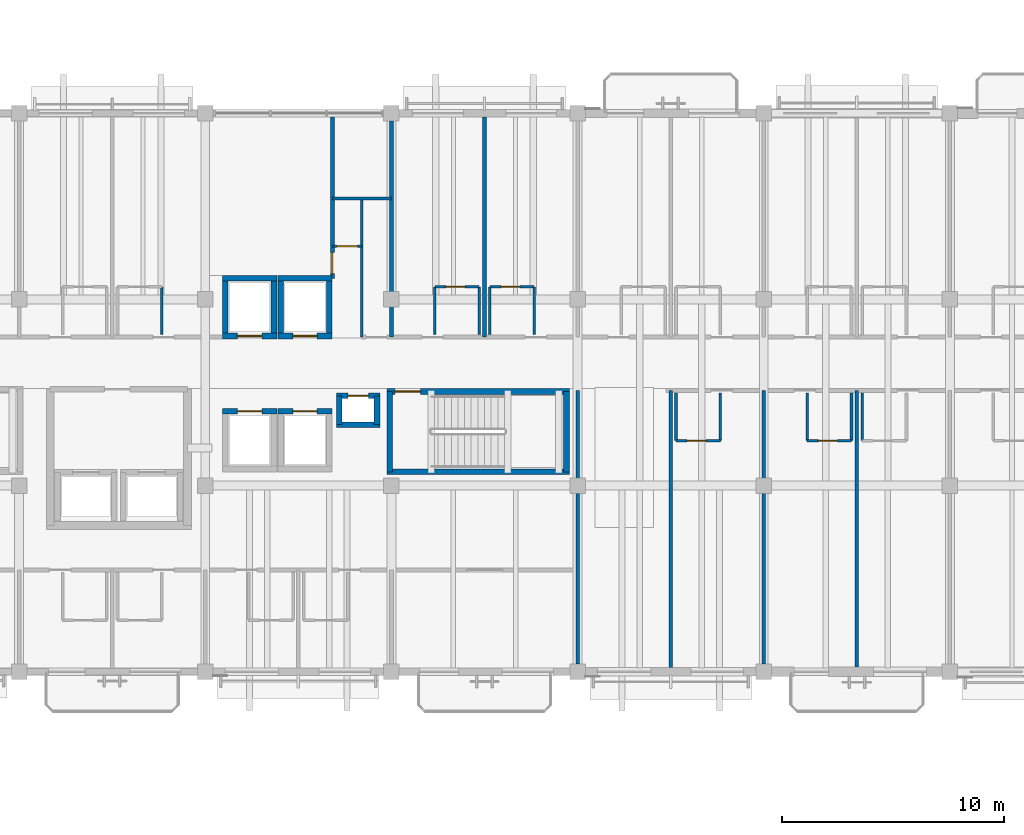
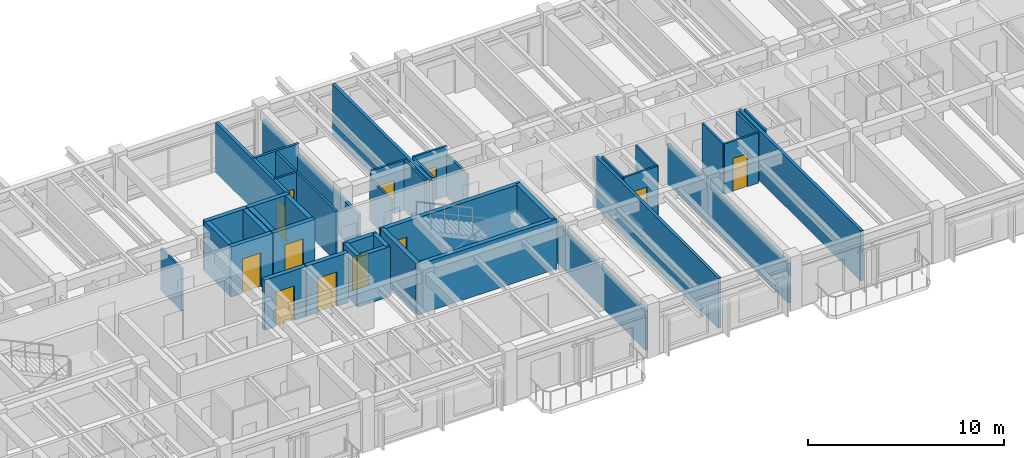
# One storey, part 38 of 64: 42 walls, 12 doors, 12 openings.
"""IFC4 building model written with IfcOpenShell, lengths in metres."""

import ifcopenshell
import ifcopenshell.guid

model = None  # the IFC model being written
_history = None  # IfcOwnerHistory: only IFC2X3 demands one
_inside = {}  # id of a spatial element -> (the spatial element, [elements in it])
_under = {}  # id of a project, library or spatial element -> (it, [spatial elements below it])
_declared = {}  # id of a project -> (the project, [libraries it declares])
_typed = {}  # id of a type object -> (the type object, [elements of that type])
_made_of = {}  # id of a material, layer set ... -> (it, [elements and type objects made of it])


def new_model(schema):
    """Start an empty IFC model of exactly this schema.

    Asked for "IFC4X3", IfcOpenShell would pick the latest addendum, in which some entities
    have other attributes; the version numbers below select the first issue.
    IFC2X3 requires an IfcOwnerHistory on every rooted entity: one is made here for all.
    """
    global model, _history
    if schema == "IFC4X3":
        model = ifcopenshell.file(schema_version=(4, 3, 0, 0))
    else:
        model = ifcopenshell.file(schema=schema)
    _inside.clear()
    _under.clear()
    _declared.clear()
    _typed.clear()
    _made_of.clear()
    _history = None
    if model.schema == "IFC2X3":
        org = make("IfcOrganization", Name="unknown")
        user = make(
            "IfcPersonAndOrganization",
            ThePerson=make("IfcPerson", FamilyName="unknown"),
            TheOrganization=org,
        )
        app = make(
            "IfcApplication",
            ApplicationDeveloper=org,
            Version="unknown",
            ApplicationFullName="unknown",
            ApplicationIdentifier="unknown",
        )
        _history = make(
            "IfcOwnerHistory",
            OwningUser=user,
            OwningApplication=app,
            ChangeAction="ADDED",
            CreationDate=0,
        )
    return model


def make(cls, **values):
    """One entity of the class cls with the attributes given. An attribute that is None is left unset."""
    return model.create_entity(
        cls, **{name: value for name, value in values.items() if value is not None}
    )


def rooted(cls, **values):
    """An entity with a GlobalId (a new one), such as an element, a storey or a relation."""
    return make(cls, GlobalId=ifcopenshell.guid.new(), OwnerHistory=_history, **values)


def si_unit(unit_type, name, prefix=None):
    """IfcSIUnit, for example si_unit("LENGTHUNIT", "METRE", prefix="MILLI")."""
    return make("IfcSIUnit", UnitType=unit_type, Prefix=prefix, Name=name)


def assignment(units):
    """IfcUnitAssignment: the units of a project."""
    return None if units is None else make("IfcUnitAssignment", Units=units)


def point(xyz):
    """IfcCartesianPoint."""
    return None if xyz is None else make("IfcCartesianPoint", Coordinates=xyz)


def direction(xyz):
    """IfcDirection."""
    return None if xyz is None else make("IfcDirection", DirectionRatios=xyz)


def frame(location, z_axis=None, x_axis=None):
    """IfcAxis2Placement3D, a coordinate frame: its origin and axes. An axis left out is left unset."""
    return make(
        "IfcAxis2Placement3D",
        Location=point(location),
        Axis=direction(z_axis),
        RefDirection=direction(x_axis),
    )


def frame_2d(location, x_axis=None):
    """IfcAxis2Placement2D, a coordinate frame in the plane: its origin and x axis."""
    return make(
        "IfcAxis2Placement2D", Location=point(location), RefDirection=direction(x_axis)
    )


def origin():
    """The frame at (0, 0, 0) with its axes left unset."""
    return frame((0.0, 0.0, 0.0))


def place(relative_to, where):
    """IfcLocalPlacement: puts the frame where relative to a parent placement (None: the world)."""
    return make(
        "IfcLocalPlacement", PlacementRelTo=relative_to, RelativePlacement=where
    )


def context(
    kind, dimensions, precision=None, world=None, true_north=None, identifier=None
):
    """IfcGeometricRepresentationContext, for example the 3D "Model" context."""
    return make(
        "IfcGeometricRepresentationContext",
        ContextIdentifier=identifier,
        ContextType=kind,
        CoordinateSpaceDimension=dimensions,
        Precision=precision,
        WorldCoordinateSystem=world,
        TrueNorth=true_north,
    )


def subcontext(parent, identifier, kind, view, scale=None):
    """IfcGeometricRepresentationSubContext, for example "Body" below "Model"."""
    return make(
        "IfcGeometricRepresentationSubContext",
        ContextIdentifier=identifier,
        ContextType=kind,
        ParentContext=parent,
        TargetScale=scale,
        TargetView=view,
    )


def project(units=None, contexts=None):
    """IfcProject with its units and contexts."""
    return rooted(
        "IfcProject",
        Name="project",
        RepresentationContexts=contexts,
        UnitsInContext=assignment(units),
    )


def spatial(cls, under=None, at=None, **own):
    """A site, building, storey or space (cls), placed at a placement, below another one or the project."""
    s = rooted(cls, ObjectPlacement=at, **own)
    if under is not None:
        _under.setdefault(under.id(), (under, []))[1].append(s)
    return s


def profile(cls, at=None, kind="AREA", **sizes):
    """A parametric profile (cls). Its sizes go by their IFC names, for example OverallWidth=200.0."""
    return make(cls, ProfileType=kind, Position=at, **sizes)


def rectangle(**sizes):
    """IfcRectangleProfileDef."""
    return profile("IfcRectangleProfileDef", **sizes)


def extrude(swept, where, along, depth):
    """IfcExtrudedAreaSolid: the profile swept, set in the frame where, extruded along a direction by depth."""
    return make(
        "IfcExtrudedAreaSolid",
        SweptArea=swept,
        Position=where,
        ExtrudedDirection=direction(along),
        Depth=depth,
    )


def shape(context_of_items, identifier, shape_type, items):
    """IfcShapeRepresentation: the items that make up one representation, for example the "Body"."""
    return make(
        "IfcShapeRepresentation",
        ContextOfItems=context_of_items,
        RepresentationIdentifier=identifier,
        RepresentationType=shape_type,
        Items=items,
    )


def material(Name=None, Category=None):
    """IfcMaterial."""
    return make("IfcMaterial", Name=Name, Category=Category)


def layer(
    of_material, thickness, ventilated=None, Name=None, Category=None, Priority=None
):
    """IfcMaterialLayer: one layer of a wall or slab, of a material (None: an air gap)."""
    return make(
        "IfcMaterialLayer",
        Material=of_material,
        LayerThickness=thickness,
        IsVentilated=ventilated,
        Name=Name,
        Category=Category,
        Priority=Priority,
    )


def layer_set(layers, Name=None):
    """IfcMaterialLayerSet."""
    return make("IfcMaterialLayerSet", MaterialLayers=layers, LayerSetName=Name)


def made_of(thing, what):
    """Note that an element or type object is made of a material, layer set ...; save() writes the relation."""
    if what is not None:
        _made_of.setdefault(what.id(), (what, []))[1].append(thing)
    return thing


def type_object(cls, material=None, **own):
    """A type object (cls), such as IfcWallType, which elements share."""
    return made_of(rooted(cls, **own), material)


def element(
    cls,
    number,
    at=None,
    inside=None,
    cuts=None,
    type_object=None,
    material=None,
    context=None,
    identifier="Body",
    shape_type=None,
    held_by="IfcProductDefinitionShape",
    body=None,
    shapes=None,
    **own,
):
    """One element of the class cls, such as IfcWall. Its Tag is "e" and its number.

    at: its placement. inside: the storey or other place that contains it. cuts: it is an
    opening in that element (IfcRelVoidsElement). A single representation is given by context,
    identifier, shape_type and body (its items); several are given by shapes. held_by: the class
    of the entity that holds the representations. save() writes the other relations.
    """
    e = rooted(cls, Tag="e%d" % number, ObjectPlacement=at, **own)
    if body is not None:
        shapes = [shape(context, identifier, shape_type, body)]
    if shapes is not None:
        e.Representation = make(held_by, Representations=shapes)
    if inside is not None:
        _inside.setdefault(inside.id(), (inside, []))[1].append(e)
    if cuts is not None:
        rooted(
            "IfcRelVoidsElement", RelatingBuildingElement=cuts, RelatedOpeningElement=e
        )
    if type_object is not None:
        _typed.setdefault(type_object.id(), (type_object, []))[1].append(e)
    return made_of(e, material)


def fill(opening, filler):
    """IfcRelFillsElement: the door or window that sits in an opening."""
    return rooted(
        "IfcRelFillsElement",
        RelatingOpeningElement=opening,
        RelatedBuildingElement=filler,
    )


def aggregate(whole, parts):
    """IfcRelAggregates: a whole, such as a stair, and the parts it consists of."""
    return rooted("IfcRelAggregates", RelatingObject=whole, RelatedObjects=parts)


def save(model, path):
    """Write the relations noted so far, then the file.

    IfcRelAggregates (storeys below a building ...), IfcRelContainedInSpatialStructure (elements
    in a storey), IfcRelDefinesByType, IfcRelAssociatesMaterial and IfcRelDeclares: one each for
    every whole, place, type object, material and project.
    """
    for whole, parts in _under.values():
        aggregate(whole, parts)
    for where, things in _inside.values():
        rooted(
            "IfcRelContainedInSpatialStructure",
            RelatedElements=things,
            RelatingStructure=where,
        )
    for kind, things in _typed.values():
        rooted("IfcRelDefinesByType", RelatedObjects=things, RelatingType=kind)
    for what, things in _made_of.values():
        rooted("IfcRelAssociatesMaterial", RelatedObjects=things, RelatingMaterial=what)
    for by, libraries in _declared.values():
        rooted("IfcRelDeclares", RelatingContext=by, RelatedDefinitions=libraries)
    model.write(path)


model = new_model("IFC4")

# Units and contexts
model_context = context("Model", 3, precision=1e-05, world=origin(), true_north=direction((0.0, 1.0)))
body_context = subcontext(model_context, "Body", "Model", "MODEL_VIEW")
ifc_project = project(units=[si_unit("LENGTHUNIT", "METRE"), si_unit("AREAUNIT", "SQUARE_METRE"), si_unit("VOLUMEUNIT", "CUBIC_METRE"), si_unit("PLANEANGLEUNIT", "RADIAN"), si_unit("MASSUNIT", "GRAM", prefix="KILO")], contexts=[model_context])

# Site, building, storey
site_placement = place(None, origin())
site = spatial("IfcSite", under=ifc_project, at=site_placement, CompositionType="ELEMENT")
building_placement = place(site_placement, origin())
building = spatial("IfcBuilding", under=site, at=building_placement, Name="Cumbredor Promenade Congress Hotel", CompositionType="ELEMENT")
storey_placement = place(building_placement, frame((0.0, 0.0, 18.47998046875)))
storey = spatial("IfcBuildingStorey", under=building, at=storey_placement, Name="L05", CompositionType="ELEMENT", Elevation=18.47998046875)

# Wall
ifc_material_1 = material(Name="Moisture-resistant gypsum board on steel studs", Category="steel")
ifc_layer_1 = layer(ifc_material_1, 0.114990234375, Name="Moisture-resistant gypsum board on steel studs", Category="steel")
ifc_layer_set_1 = layer_set([ifc_layer_1], Name="Moisture-resistant gypsum board on steel studs")
wall_type_1 = type_object("IfcWallType", Name="WL-BATH-115", PredefinedType="PARTITIONING", material=ifc_layer_set_1)
wall_1_placement = place(storey_placement, frame((31.639892578125, 107.6201171875, 0.0), z_axis=(0.0, 0.0, 1.0), x_axis=(0.0, 1.0, 0.0)))
element("IfcWall", 1, at=wall_1_placement, inside=storey, type_object=wall_type_1, Name="L05 Interior Partition W-L05-BV2-0506", PredefinedType="PARTITIONING", context=body_context, shape_type="SweptSolid", body=[
    extrude(rectangle(XDim=2.14990234375, YDim=0.114990234375, at=frame_2d((1.074951171875, 0.0))), origin(), (0.0, 0.0, 1.0), 2.64208984375),
])

# Wall, opening, door
wall_2_placement = place(storey_placement, frame((43.9599609375, 109.77001953125, 0.0), z_axis=(0.0, 0.0, 1.0), x_axis=(1.0, 0.0, 0.0)))
wall_2 = element("IfcWall", 2, at=wall_2_placement, inside=storey, type_object=wall_type_1, Name="L05 Interior Partition W-L05-BH-0507", PredefinedType="PARTITIONING", context=body_context, shape_type="SweptSolid", body=[
    extrude(rectangle(XDim=2.0, YDim=0.114990234375, at=frame_2d((1.0, 0.0))), origin(), (0.0, 0.0, 1.0), 3.1201171875),
])
opening_1_placement = place(wall_2_placement, frame((0.5, 0.0, 0.0)))
opening_1 = element("IfcOpeningElement", 3, at=opening_1_placement, cuts=wall_2, Name="Opening ID-01", PredefinedType="OPENING", context=body_context, shape_type="SweptSolid", body=[
    extrude(rectangle(XDim=0.860107421875, YDim=2.050048828125, at=frame_2d((0.43017578125, 1.02490234375))), frame((0.0, 0.0673828125, 0.0), z_axis=(0.0, -1.0, 0.0), x_axis=(1.0, 0.0, 0.0)), (0.0, 0.0, 1.0), 0.135009765625),
])
ifc_material_2 = material(Name="Kiln-dried tropical hardwood", Category="wood")
door_type_1 = type_object("IfcDoorType", Name="DR-BATH-860", OperationType="NOTDEFINED", PredefinedType="DOOR", material=ifc_material_2)
door_1_placement = place(opening_1_placement, origin())
door_1 = element("IfcDoor", 4, at=door_1_placement, inside=storey, type_object=door_type_1, Name="L05 Interior Door W-L05-BH-0507-01", OperationType="SINGLE_SWING_RIGHT", OverallHeight=2.050048828125, OverallWidth=0.860107421875, PredefinedType="DOOR", context=body_context, shape_type="SweptSolid", body=[
    extrude(rectangle(XDim=0.860107421875, YDim=2.050048828125, at=frame_2d((0.43017578125, 1.02490234375))), frame((0.0, 0.02490234375, 0.0), z_axis=(0.0, -1.0, 0.0), x_axis=(1.0, 0.0, 0.0)), (0.0, 0.0, 1.0), 0.050048828125),
])
fill(opening_1, door_1)

# Walls
wall_3_placement = place(storey_placement, frame((43.9599609375, 107.6201171875, 0.0), z_axis=(0.0, 0.0, 1.0), x_axis=(0.0, 1.0, 0.0)))
element("IfcWall", 5, at=wall_3_placement, inside=storey, type_object=wall_type_1, Name="L05 Interior Partition W-L05-BV1-0507", PredefinedType="PARTITIONING", context=body_context, shape_type="SweptSolid", body=[
    extrude(rectangle(XDim=2.14990234375, YDim=0.114990234375, at=frame_2d((1.074951171875, 0.0))), origin(), (0.0, 0.0, 1.0), 2.64208984375),
])
wall_4_placement = place(storey_placement, frame((45.9599609375, 107.6201171875, 0.0), z_axis=(0.0, 0.0, 1.0), x_axis=(0.0, 1.0, 0.0)))
element("IfcWall", 6, at=wall_4_placement, inside=storey, type_object=wall_type_1, Name="L05 Interior Partition W-L05-BV2-0507", PredefinedType="PARTITIONING", context=body_context, shape_type="SweptSolid", body=[
    extrude(rectangle(XDim=2.14990234375, YDim=0.114990234375, at=frame_2d((1.074951171875, 0.0))), origin(), (0.0, 0.0, 1.0), 3.1201171875),
])

# Wall, opening, door
wall_5_placement = place(storey_placement, frame((46.43994140625, 109.77001953125, 0.0), z_axis=(0.0, 0.0, 1.0), x_axis=(1.0, 0.0, 0.0)))
wall_5 = element("IfcWall", 7, at=wall_5_placement, inside=storey, type_object=wall_type_1, Name="L05 Interior Partition W-L05-BH-0508", PredefinedType="PARTITIONING", context=body_context, shape_type="SweptSolid", body=[
    extrude(rectangle(XDim=2.0, YDim=0.114990234375, at=frame_2d((1.0, 0.0))), origin(), (0.0, 0.0, 1.0), 3.1201171875),
])
opening_2_placement = place(wall_5_placement, frame((0.5, 0.0, 0.0)))
opening_2 = element("IfcOpeningElement", 8, at=opening_2_placement, cuts=wall_5, Name="Opening ID-01", PredefinedType="OPENING", context=body_context, shape_type="SweptSolid", body=[
    extrude(rectangle(XDim=0.860107421875, YDim=2.050048828125, at=frame_2d((0.43017578125, 1.02490234375))), frame((0.0, 0.0673828125, 0.0), z_axis=(0.0, -1.0, 0.0), x_axis=(1.0, 0.0, 0.0)), (0.0, 0.0, 1.0), 0.135009765625),
])
door_2_placement = place(opening_2_placement, origin())
door_2 = element("IfcDoor", 9, at=door_2_placement, inside=storey, type_object=door_type_1, Name="L05 Interior Door W-L05-BH-0508-01", OperationType="SINGLE_SWING_LEFT", OverallHeight=2.050048828125, OverallWidth=0.860107421875, PredefinedType="DOOR", context=body_context, shape_type="SweptSolid", body=[
    extrude(rectangle(XDim=0.860107421875, YDim=2.050048828125, at=frame_2d((0.43017578125, 1.02490234375))), frame((0.0, 0.02490234375, 0.0), z_axis=(0.0, -1.0, 0.0), x_axis=(1.0, 0.0, 0.0)), (0.0, 0.0, 1.0), 0.050048828125),
])
fill(opening_2, door_2)

# Walls
wall_6_placement = place(storey_placement, frame((46.43994140625, 107.6201171875, 0.0), z_axis=(0.0, 0.0, 1.0), x_axis=(0.0, 1.0, 0.0)))
element("IfcWall", 10, at=wall_6_placement, inside=storey, type_object=wall_type_1, Name="L05 Interior Partition W-L05-BV1-0508", PredefinedType="PARTITIONING", context=body_context, shape_type="SweptSolid", body=[
    extrude(rectangle(XDim=2.14990234375, YDim=0.114990234375, at=frame_2d((1.074951171875, 0.0))), origin(), (0.0, 0.0, 1.0), 3.1201171875),
])
wall_7_placement = place(storey_placement, frame((48.43994140625, 107.6201171875, 0.0), z_axis=(0.0, 0.0, 1.0), x_axis=(0.0, 1.0, 0.0)))
element("IfcWall", 11, at=wall_7_placement, inside=storey, type_object=wall_type_1, Name="L05 Interior Partition W-L05-BV2-0508", PredefinedType="PARTITIONING", context=body_context, shape_type="SweptSolid", body=[
    extrude(rectangle(XDim=2.14990234375, YDim=0.114990234375, at=frame_2d((1.074951171875, 0.0))), origin(), (0.0, 0.0, 1.0), 2.64208984375),
])

# Wall, opening, door
wall_8_placement = place(storey_placement, frame((54.840087890625, 102.830078125, 0.0), z_axis=(0.0, 0.0, 1.0), x_axis=(1.0, 0.0, 0.0)))
wall_8 = element("IfcWall", 12, at=wall_8_placement, inside=storey, type_object=wall_type_1, Name="L05 Interior Partition W-L05-BH-0516", PredefinedType="PARTITIONING", context=body_context, shape_type="SweptSolid", body=[
    extrude(rectangle(XDim=2.0, YDim=0.114990234375, at=frame_2d((1.0, 0.0))), origin(), (0.0, 0.0, 1.0), 3.1201171875),
])
opening_3_placement = place(wall_8_placement, frame((0.5, 0.0, 0.0)))
opening_3 = element("IfcOpeningElement", 13, at=opening_3_placement, cuts=wall_8, Name="Opening ID-01", PredefinedType="OPENING", context=body_context, shape_type="SweptSolid", body=[
    extrude(rectangle(XDim=0.860107421875, YDim=2.050048828125, at=frame_2d((0.43017578125, 1.02490234375))), frame((0.0, 0.0673828125, 0.0), z_axis=(0.0, -1.0, 0.0), x_axis=(1.0, 0.0, 0.0)), (0.0, 0.0, 1.0), 0.135009765625),
])
door_3_placement = place(opening_3_placement, origin())
door_3 = element("IfcDoor", 14, at=door_3_placement, inside=storey, type_object=door_type_1, Name="L05 Interior Door W-L05-BH-0516-01", OperationType="SINGLE_SWING_LEFT", OverallHeight=2.050048828125, OverallWidth=0.860107421875, PredefinedType="DOOR", context=body_context, shape_type="SweptSolid", body=[
    extrude(rectangle(XDim=0.860107421875, YDim=2.050048828125, at=frame_2d((0.43017578125, 1.02490234375))), frame((0.0, 0.02490234375, 0.0), z_axis=(0.0, -1.0, 0.0), x_axis=(1.0, 0.0, 0.0)), (0.0, 0.0, 1.0), 0.050048828125),
])
fill(opening_3, door_3)

# Walls
for number, where, z_axis, x_axis, name in (
    (15, (54.840087890625, 102.830078125, 0.0), (0.0, 0.0, 1.0), (0.0, 1.0, 0.0), "L05 Interior Partition W-L05-BV1-0516"),
    (16, (56.840087890625, 102.830078125, 0.0), (0.0, 0.0, 1.0), (0.0, 1.0, 0.0), "L05 Interior Partition W-L05-BV2-0516"),
):
    element("IfcWall", number, at=place(storey_placement, frame(where, z_axis=z_axis, x_axis=x_axis)), inside=storey, type_object=wall_type_1, Name=name, PredefinedType="PARTITIONING", context=body_context, shape_type="SweptSolid", body=[
        extrude(rectangle(XDim=2.14990234375, YDim=0.114990234375, at=frame_2d((1.074951171875, 0.0))), origin(), (0.0, 0.0, 1.0), 3.1201171875),
    ])

# Wall, opening, door
wall_9_placement = place(storey_placement, frame((60.760009765625, 102.830078125, 0.0), z_axis=(0.0, 0.0, 1.0), x_axis=(1.0, 0.0, 0.0)))
wall_9 = element("IfcWall", 17, at=wall_9_placement, inside=storey, type_object=wall_type_1, Name="L05 Interior Partition W-L05-BH-0517", PredefinedType="PARTITIONING", context=body_context, shape_type="SweptSolid", body=[
    extrude(rectangle(XDim=2.0, YDim=0.114990234375, at=frame_2d((1.0, 0.0))), origin(), (0.0, 0.0, 1.0), 3.1201171875),
])
opening_4_placement = place(wall_9_placement, frame((0.5, 0.0, 0.0)))
opening_4 = element("IfcOpeningElement", 18, at=opening_4_placement, cuts=wall_9, Name="Opening ID-01", PredefinedType="OPENING", context=body_context, shape_type="SweptSolid", body=[
    extrude(rectangle(XDim=0.860107421875, YDim=2.050048828125, at=frame_2d((0.43017578125, 1.02490234375))), frame((0.0, 0.0673828125, 0.0), z_axis=(0.0, -1.0, 0.0), x_axis=(1.0, 0.0, 0.0)), (0.0, 0.0, 1.0), 0.135009765625),
])
door_4_placement = place(opening_4_placement, origin())
door_4 = element("IfcDoor", 19, at=door_4_placement, inside=storey, type_object=door_type_1, Name="L05 Interior Door W-L05-BH-0517-01", OperationType="SINGLE_SWING_RIGHT", OverallHeight=2.050048828125, OverallWidth=0.860107421875, PredefinedType="DOOR", context=body_context, shape_type="SweptSolid", body=[
    extrude(rectangle(XDim=0.860107421875, YDim=2.050048828125, at=frame_2d((0.43017578125, 1.02490234375))), frame((0.0, 0.02490234375, 0.0), z_axis=(0.0, -1.0, 0.0), x_axis=(1.0, 0.0, 0.0)), (0.0, 0.0, 1.0), 0.050048828125),
])
fill(opening_4, door_4)

# Walls
for number, where, z_axis, x_axis, name in (
    (20, (60.760009765625, 102.830078125, 0.0), (0.0, 0.0, 1.0), (0.0, 1.0, 0.0), "L05 Interior Partition W-L05-BV1-0517"),
    (21, (62.760009765625, 102.830078125, 0.0), (0.0, 0.0, 1.0), (0.0, 1.0, 0.0), "L05 Interior Partition W-L05-BV2-0517"),
    (22, (63.239990234375, 102.830078125, 0.0), (0.0, 0.0, 1.0), (0.0, 1.0, 0.0), "L05 Interior Partition W-L05-BV1-0518"),
):
    element("IfcWall", number, at=place(storey_placement, frame(where, z_axis=z_axis, x_axis=x_axis)), inside=storey, type_object=wall_type_1, Name=name, PredefinedType="PARTITIONING", context=body_context, shape_type="SweptSolid", body=[
        extrude(rectangle(XDim=2.14990234375, YDim=0.114990234375, at=frame_2d((1.074951171875, 0.0))), origin(), (0.0, 0.0, 1.0), 3.1201171875),
    ])

# Wall, opening, door
ifc_material_3 = material(Name="Fire-rated hotel corridor wall")
ifc_layer_2 = layer(ifc_material_3, 0.179931640625, Name="Fire-rated hotel corridor wall")
ifc_layer_set_2 = layer_set([ifc_layer_2], Name="Fire-rated hotel corridor wall")
wall_type_2 = type_object("IfcWallType", Name="WL-CORR-180", PredefinedType="PARTITIONING", material=ifc_layer_set_2)
wall_10_placement = place(storey_placement, frame((39.330078125, 110.14990234375, 0.0), z_axis=(0.0, 0.0, 1.0), x_axis=(0.0, 1.0, 0.0)))
wall_10 = element("IfcWall", 23, at=wall_10_placement, inside=storey, type_object=wall_type_2, Name="L05 Interior Partition W-L05-SALON-E", PredefinedType="PARTITIONING", context=body_context, shape_type="SweptSolid", body=[
    extrude(rectangle(XDim=7.28759765625, YDim=0.179931640625, at=frame_2d((3.643798828125, 0.0))), origin(), (0.0, 0.0, 1.0), 3.1201171875),
])
opening_5_placement = place(wall_10_placement, frame((0.219970703125, 0.0, 0.0)))
opening_5 = element("IfcOpeningElement", 24, at=opening_5_placement, cuts=wall_10, Name="Opening FD-03", PredefinedType="OPENING", context=body_context, shape_type="SweptSolid", body=[
    extrude(rectangle(XDim=0.93994140625, YDim=2.10009765625, at=frame_2d((0.469970703125, 1.050048828125))), frame((0.0, 0.10009765625, 0.0), z_axis=(0.0, -1.0, 0.0), x_axis=(1.0, 0.0, 0.0)), (0.0, 0.0, 1.0), 0.199951171875),
])
ifc_material_4 = material(Name="Painted galvanized steel fire door", Category="steel")
door_type_2 = type_object("IfcDoorType", Name="DR-SGL-FD60-950", OperationType="NOTDEFINED", PredefinedType="DOOR", material=ifc_material_4)
door_5_placement = place(opening_5_placement, origin())
door_5 = element("IfcDoor", 25, at=door_5_placement, inside=storey, type_object=door_type_2, Name="L05 Interior Door W-L05-SALON-E-01", OperationType="SINGLE_SWING_LEFT", OverallHeight=2.10009765625, OverallWidth=0.93994140625, PredefinedType="DOOR", context=body_context, shape_type="SweptSolid", body=[
    extrude(rectangle(XDim=0.93994140625, YDim=2.10009765625, at=frame_2d((0.469970703125, 1.050048828125))), frame((0.0, 0.02490234375, 0.0), z_axis=(0.0, -1.0, 0.0), x_axis=(1.0, 0.0, 0.0)), (0.0, 0.0, 1.0), 0.050048828125),
])
fill(opening_5, door_5)

ifc_material_5 = material(Name="Gypsum board on steel studs", Category="steel")
ifc_layer_3 = layer(ifc_material_5, 0.125, Name="Gypsum board on steel studs", Category="steel")
ifc_layer_set_3 = layer_set([ifc_layer_3], Name="Gypsum board on steel studs")
wall_type_3 = type_object("IfcWallType", Name="WL-PART-125", PredefinedType="PARTITIONING", material=ifc_layer_set_3)
wall_11_placement = place(storey_placement, frame((39.330078125, 111.60009765625, 0.0), z_axis=(0.0, 0.0, 1.0), x_axis=(1.0, 0.0, 0.0)))
wall_11 = element("IfcWall", 26, at=wall_11_placement, inside=storey, type_object=wall_type_3, Name="L05 Interior Partition W-L05-HK-S", PredefinedType="PARTITIONING", context=body_context, shape_type="SweptSolid", body=[
    extrude(rectangle(XDim=1.329833984375, YDim=0.125, at=frame_2d((0.6650390625, 0.0))), origin(), (0.0, 0.0, 1.0), 3.1201171875),
])
opening_6_placement = place(wall_11_placement, frame((0.195068359375, 0.0, 0.0)))
opening_6 = element("IfcOpeningElement", 27, at=opening_6_placement, cuts=wall_11, Name="Opening FD-03", PredefinedType="OPENING", context=body_context, shape_type="SweptSolid", body=[
    extrude(rectangle(XDim=0.93994140625, YDim=2.10009765625, at=frame_2d((0.469970703125, 1.050048828125))), frame((0.0, 0.072509765625, 0.0), z_axis=(0.0, -1.0, 0.0), x_axis=(1.0, 0.0, 0.0)), (0.0, 0.0, 1.0), 0.14501953125),
])
door_6_placement = place(opening_6_placement, origin())
door_6 = element("IfcDoor", 28, at=door_6_placement, inside=storey, type_object=door_type_2, Name="L05 Interior Door W-L05-HK-S-01", OperationType="SINGLE_SWING_LEFT", OverallHeight=2.10009765625, OverallWidth=0.93994140625, PredefinedType="DOOR", context=body_context, shape_type="SweptSolid", body=[
    extrude(rectangle(XDim=0.93994140625, YDim=2.10009765625, at=frame_2d((0.469970703125, 1.050048828125))), frame((0.0, 0.02490234375, 0.0), z_axis=(0.0, -1.0, 0.0), x_axis=(1.0, 0.0, 0.0)), (0.0, 0.0, 1.0), 0.050048828125),
])
fill(opening_6, door_6)

# Walls
wall_12_placement = place(storey_placement, frame((40.659912109375, 107.5, 0.0), z_axis=(0.0, 0.0, 1.0), x_axis=(0.0, 1.0, 0.0)))
element("IfcWall", 29, at=wall_12_placement, inside=storey, type_object=wall_type_3, Name="L05 Interior Partition W-L05-HK-DIV", PredefinedType="PARTITIONING", context=body_context, shape_type="SweptSolid", body=[
    extrude(rectangle(XDim=6.25, YDim=0.125, at=frame_2d((3.125, 0.0))), origin(), (0.0, 0.0, 1.0), 3.1201171875),
])
ifc_material_6 = material(Name="Acoustic gypsum partition on steel studs", Category="steel")
ifc_layer_4 = layer(ifc_material_6, 0.139892578125, Name="Acoustic gypsum partition on steel studs", Category="steel")
ifc_layer_set_4 = layer_set([ifc_layer_4], Name="Acoustic gypsum partition on steel studs")
wall_type_4 = type_object("IfcWallType", Name="WL-PART-140", PredefinedType="PARTITIONING", material=ifc_layer_set_4)
wall_13_placement = place(storey_placement, frame((39.330078125, 113.75, 0.0), z_axis=(0.0, 0.0, 1.0), x_axis=(1.0, 0.0, 0.0)))
element("IfcWall", 30, at=wall_13_placement, inside=storey, type_object=wall_type_4, Name="L05 Interior Partition W-L05-HK-N", PredefinedType="PARTITIONING", context=body_context, shape_type="SweptSolid", body=[
    extrude(rectangle(XDim=2.669921875, YDim=0.139892578125, at=frame_2d((1.3349609375, 0.0))), origin(), (0.0, 0.0, 1.0), 3.1201171875),
])
ifc_material_7 = material(Name="Concrete C40/50", Category="concrete")
ifc_layer_5 = layer(ifc_material_7, 0.2548828125, Name="Concrete C40/50", Category="concrete")
ifc_layer_set_5 = layer_set([ifc_layer_5], Name="Concrete C40/50")
wall_type_5 = type_object("IfcWallType", Name="WL-SHAFT-250", PredefinedType="SOLIDWALL", material=ifc_layer_set_5)
wall_14_placement = place(storey_placement, frame((41.802490234375, 101.419921875, 0.0), z_axis=(0.0, 0.0, 1.0), x_axis=(1.0, 0.0, 0.0)))
element("IfcWall", 31, at=wall_14_placement, inside=storey, type_object=wall_type_5, Name="STAIR-ST-03-L05 Shaft Wall South", PredefinedType="SOLIDWALL", context=body_context, shape_type="SweptSolid", body=[
    extrude(rectangle(XDim=8.22509765625, YDim=0.2548828125, at=frame_2d((4.112548828125, 0.0))), origin(), (0.0, 0.0, 1.0), 3.1201171875),
])

# Wall, opening, door
wall_15_placement = place(storey_placement, frame((41.802490234375, 105.050048828125, 0.0), z_axis=(0.0, 0.0, 1.0), x_axis=(1.0, 0.0, 0.0)))
wall_15 = element("IfcWall", 32, at=wall_15_placement, inside=storey, type_object=wall_type_5, Name="STAIR-ST-03-L05 Shaft Wall North", PredefinedType="SOLIDWALL", context=body_context, shape_type="SweptSolid", body=[
    extrude(rectangle(XDim=8.22509765625, YDim=0.2548828125, at=frame_2d((4.112548828125, 0.0))), origin(), (0.0, 0.0, 1.0), 3.1201171875),
])
opening_7_placement = place(wall_15_placement, frame((0.35009765625, 0.0, 0.0)))
opening_7 = element("IfcOpeningElement", 33, at=opening_7_placement, cuts=wall_15, Name="Opening SD-01", PredefinedType="OPENING", context=body_context, shape_type="SweptSolid", body=[
    extrude(rectangle(XDim=1.159912109375, YDim=2.14990234375, at=frame_2d((0.580078125, 1.074951171875))), frame((0.0, 0.137451171875, 0.0), z_axis=(0.0, -1.0, 0.0), x_axis=(1.0, 0.0, 0.0)), (0.0, 0.0, 1.0), 0.27490234375),
])
door_type_3 = type_object("IfcDoorType", Name="DR-STAIR-FD90-1150", OperationType="NOTDEFINED", PredefinedType="DOOR", material=ifc_material_4)
door_7_placement = place(opening_7_placement, origin())
door_7 = element("IfcDoor", 34, at=door_7_placement, inside=storey, type_object=door_type_3, Name="L05 Protected Exit Stair ST-03 Door", OperationType="SINGLE_SWING_LEFT", OverallHeight=2.14990234375, OverallWidth=1.159912109375, PredefinedType="DOOR", context=body_context, shape_type="SweptSolid", body=[
    extrude(rectangle(XDim=1.159912109375, YDim=2.14990234375, at=frame_2d((0.580078125, 1.074951171875))), frame((0.0, 0.02490234375, 0.0), z_axis=(0.0, -1.0, 0.0), x_axis=(1.0, 0.0, 0.0)), (0.0, 0.0, 1.0), 0.050048828125),
])
fill(opening_7, door_7)

# Walls
for number, where, z_axis, x_axis, name in (
    (35, (41.929931640625, 101.419921875, 0.0), (0.0, 0.0, 1.0), (0.0, 1.0, 0.0), "STAIR-ST-03-L05 Shaft Wall West"),
    (36, (49.89990234375, 101.419921875, 0.0), (0.0, 0.0, 1.0), (0.0, 1.0, 0.0), "STAIR-ST-03-L05 Shaft Wall East"),
):
    element("IfcWall", number, at=place(storey_placement, frame(where, z_axis=z_axis, x_axis=x_axis)), inside=storey, type_object=wall_type_5, Name=name, PredefinedType="SOLIDWALL", context=body_context, shape_type="SweptSolid", body=[
        extrude(rectangle(XDim=3.630126953125, YDim=0.2548828125, at=frame_2d((1.81494140625, 0.0))), origin(), (0.0, 0.0, 1.0), 3.1201171875),
    ])

# Wall, opening, door
wall_16_placement = place(storey_placement, frame((34.37255859375, 107.550048828125, 0.0), z_axis=(0.0, 0.0, 1.0), x_axis=(1.0, 0.0, 0.0)))
wall_16 = element("IfcWall", 37, at=wall_16_placement, inside=storey, type_object=wall_type_5, Name="SHAFT-PL-01-L05 Shaft Wall South", PredefinedType="SOLIDWALL", context=body_context, shape_type="SweptSolid", body=[
    extrude(rectangle(XDim=2.454833984375, YDim=0.2548828125, at=frame_2d((1.2275390625, 0.0))), origin(), (0.0, 0.0, 1.0), 3.1201171875),
])
opening_8_placement = place(wall_16_placement, frame((0.677490234375, 0.0, 0.0)))
opening_8 = element("IfcOpeningElement", 38, at=opening_8_placement, cuts=wall_16, Name="Opening LD-01", PredefinedType="OPENING", context=body_context, shape_type="SweptSolid", body=[
    extrude(rectangle(XDim=1.10009765625, YDim=2.14990234375, at=frame_2d((0.550048828125, 1.074951171875))), frame((0.0, 0.137451171875, 0.0), z_axis=(0.0, -1.0, 0.0), x_axis=(1.0, 0.0, 0.0)), (0.0, 0.0, 1.0), 0.27490234375),
])
ifc_material_8 = material(Name="Brushed stainless steel", Category="steel")
door_type_4 = type_object("IfcDoorType", Name="Lift Landing Sliding Door LD-01 1100x2150", OperationType="DOUBLE_DOOR_SLIDING", PredefinedType="DOOR", material=ifc_material_8)
door_8_placement = place(opening_8_placement, origin())
door_8 = element("IfcDoor", 39, at=door_8_placement, inside=storey, type_object=door_type_4, Name="L05 Hotel Passenger Lift PL-01 Sliding Landing Door", OperationType="DOUBLE_DOOR_SLIDING", OverallHeight=2.14990234375, OverallWidth=1.10009765625, PredefinedType="DOOR", context=body_context, shape_type="SweptSolid", body=[
    extrude(rectangle(XDim=1.10009765625, YDim=2.14990234375, at=frame_2d((0.550048828125, 1.074951171875))), frame((0.0, 0.02490234375, 0.0), z_axis=(0.0, -1.0, 0.0), x_axis=(1.0, 0.0, 0.0)), (0.0, 0.0, 1.0), 0.050048828125),
])
fill(opening_8, door_8)

# Walls
wall_17_placement = place(storey_placement, frame((34.37255859375, 110.14990234375, 0.0), z_axis=(0.0, 0.0, 1.0), x_axis=(1.0, 0.0, 0.0)))
element("IfcWall", 40, at=wall_17_placement, inside=storey, type_object=wall_type_5, Name="SHAFT-PL-01-L05 Shaft Wall North", PredefinedType="SOLIDWALL", context=body_context, shape_type="SweptSolid", body=[
    extrude(rectangle(XDim=2.454833984375, YDim=0.2548828125, at=frame_2d((1.2275390625, 0.0))), origin(), (0.0, 0.0, 1.0), 3.1201171875),
])
for number, where, z_axis, x_axis, name in (
    (41, (34.5, 107.550048828125, 0.0), (0.0, 0.0, 1.0), (0.0, 1.0, 0.0), "SHAFT-PL-01-L05 Shaft Wall West"),
    (42, (36.699951171875, 107.550048828125, 0.0), (0.0, 0.0, 1.0), (0.0, 1.0, 0.0), "SHAFT-PL-01-L05 Shaft Wall East"),
):
    element("IfcWall", number, at=place(storey_placement, frame(where, z_axis=z_axis, x_axis=x_axis)), inside=storey, type_object=wall_type_5, Name=name, PredefinedType="SOLIDWALL", context=body_context, shape_type="SweptSolid", body=[
        extrude(rectangle(XDim=2.599853515625, YDim=0.2548828125, at=frame_2d((1.2998046875, 0.0))), origin(), (0.0, 0.0, 1.0), 3.1201171875),
    ])

# Wall, opening, door
wall_18_placement = place(storey_placement, frame((36.87255859375, 107.550048828125, 0.0), z_axis=(0.0, 0.0, 1.0), x_axis=(1.0, 0.0, 0.0)))
wall_18 = element("IfcWall", 43, at=wall_18_placement, inside=storey, type_object=wall_type_5, Name="SHAFT-PL-02-L05 Shaft Wall South", PredefinedType="SOLIDWALL", context=body_context, shape_type="SweptSolid", body=[
    extrude(rectangle(XDim=2.454833984375, YDim=0.2548828125, at=frame_2d((1.2275390625, 0.0))), origin(), (0.0, 0.0, 1.0), 3.1201171875),
])
opening_9_placement = place(wall_18_placement, frame((0.677490234375, 0.0, 0.0)))
opening_9 = element("IfcOpeningElement", 44, at=opening_9_placement, cuts=wall_18, Name="Opening LD-01", PredefinedType="OPENING", context=body_context, shape_type="SweptSolid", body=[
    extrude(rectangle(XDim=1.10009765625, YDim=2.14990234375, at=frame_2d((0.550048828125, 1.074951171875))), frame((0.0, 0.137451171875, 0.0), z_axis=(0.0, -1.0, 0.0), x_axis=(1.0, 0.0, 0.0)), (0.0, 0.0, 1.0), 0.27490234375),
])
door_9_placement = place(opening_9_placement, origin())
door_9 = element("IfcDoor", 45, at=door_9_placement, inside=storey, type_object=door_type_4, Name="L05 Hotel Passenger Lift PL-02 Sliding Landing Door", OperationType="DOUBLE_DOOR_SLIDING", OverallHeight=2.14990234375, OverallWidth=1.10009765625, PredefinedType="DOOR", context=body_context, shape_type="SweptSolid", body=[
    extrude(rectangle(XDim=1.10009765625, YDim=2.14990234375, at=frame_2d((0.550048828125, 1.074951171875))), frame((0.0, 0.02490234375, 0.0), z_axis=(0.0, -1.0, 0.0), x_axis=(1.0, 0.0, 0.0)), (0.0, 0.0, 1.0), 0.050048828125),
])
fill(opening_9, door_9)

# Walls
wall_19_placement = place(storey_placement, frame((36.87255859375, 110.14990234375, 0.0), z_axis=(0.0, 0.0, 1.0), x_axis=(1.0, 0.0, 0.0)))
element("IfcWall", 46, at=wall_19_placement, inside=storey, type_object=wall_type_5, Name="SHAFT-PL-02-L05 Shaft Wall North", PredefinedType="SOLIDWALL", context=body_context, shape_type="SweptSolid", body=[
    extrude(rectangle(XDim=2.454833984375, YDim=0.2548828125, at=frame_2d((1.2275390625, 0.0))), origin(), (0.0, 0.0, 1.0), 3.1201171875),
])
for number, where, z_axis, x_axis, name in (
    (47, (37.0, 107.550048828125, 0.0), (0.0, 0.0, 1.0), (0.0, 1.0, 0.0), "SHAFT-PL-02-L05 Shaft Wall West"),
    (48, (39.199951171875, 107.550048828125, 0.0), (0.0, 0.0, 1.0), (0.0, 1.0, 0.0), "SHAFT-PL-02-L05 Shaft Wall East"),
):
    element("IfcWall", number, at=place(storey_placement, frame(where, z_axis=z_axis, x_axis=x_axis)), inside=storey, type_object=wall_type_5, Name=name, PredefinedType="SOLIDWALL", context=body_context, shape_type="SweptSolid", body=[
        extrude(rectangle(XDim=2.599853515625, YDim=0.2548828125, at=frame_2d((1.2998046875, 0.0))), origin(), (0.0, 0.0, 1.0), 3.1201171875),
    ])

# Wall, opening, door
wall_20_placement = place(storey_placement, frame((34.37255859375, 104.14990234375, 0.0), z_axis=(0.0, 0.0, 1.0), x_axis=(1.0, 0.0, 0.0)))
wall_20 = element("IfcWall", 49, at=wall_20_placement, inside=storey, type_object=wall_type_5, Name="SHAFT-PL-03-L05 Shaft Wall North", PredefinedType="SOLIDWALL", context=body_context, shape_type="SweptSolid", body=[
    extrude(rectangle(XDim=2.454833984375, YDim=0.2548828125, at=frame_2d((1.2275390625, 0.0))), origin(), (0.0, 0.0, 1.0), 3.1201171875),
])
opening_10_placement = place(wall_20_placement, frame((0.677490234375, 0.0, 0.0)))
opening_10 = element("IfcOpeningElement", 50, at=opening_10_placement, cuts=wall_20, Name="Opening LD-01", PredefinedType="OPENING", context=body_context, shape_type="SweptSolid", body=[
    extrude(rectangle(XDim=1.10009765625, YDim=2.14990234375, at=frame_2d((0.550048828125, 1.074951171875))), frame((0.0, 0.137451171875, 0.0), z_axis=(0.0, -1.0, 0.0), x_axis=(1.0, 0.0, 0.0)), (0.0, 0.0, 1.0), 0.27490234375),
])
door_10_placement = place(opening_10_placement, origin())
door_10 = element("IfcDoor", 51, at=door_10_placement, inside=storey, type_object=door_type_4, Name="L05 Hotel Passenger Lift PL-03 Sliding Landing Door", OperationType="DOUBLE_DOOR_SLIDING", OverallHeight=2.14990234375, OverallWidth=1.10009765625, PredefinedType="DOOR", context=body_context, shape_type="SweptSolid", body=[
    extrude(rectangle(XDim=1.10009765625, YDim=2.14990234375, at=frame_2d((0.550048828125, 1.074951171875))), frame((0.0, 0.02490234375, 0.0), z_axis=(0.0, -1.0, 0.0), x_axis=(1.0, 0.0, 0.0)), (0.0, 0.0, 1.0), 0.050048828125),
])
fill(opening_10, door_10)

wall_21_placement = place(storey_placement, frame((36.87255859375, 104.14990234375, 0.0), z_axis=(0.0, 0.0, 1.0), x_axis=(1.0, 0.0, 0.0)))
wall_21 = element("IfcWall", 52, at=wall_21_placement, inside=storey, type_object=wall_type_5, Name="SHAFT-PL-04-L05 Shaft Wall North", PredefinedType="SOLIDWALL", context=body_context, shape_type="SweptSolid", body=[
    extrude(rectangle(XDim=2.454833984375, YDim=0.2548828125, at=frame_2d((1.2275390625, 0.0))), origin(), (0.0, 0.0, 1.0), 3.1201171875),
])
opening_11_placement = place(wall_21_placement, frame((0.677490234375, 0.0, 0.0)))
opening_11 = element("IfcOpeningElement", 53, at=opening_11_placement, cuts=wall_21, Name="Opening LD-01", PredefinedType="OPENING", context=body_context, shape_type="SweptSolid", body=[
    extrude(rectangle(XDim=1.10009765625, YDim=2.14990234375, at=frame_2d((0.550048828125, 1.074951171875))), frame((0.0, 0.137451171875, 0.0), z_axis=(0.0, -1.0, 0.0), x_axis=(1.0, 0.0, 0.0)), (0.0, 0.0, 1.0), 0.27490234375),
])
door_11_placement = place(opening_11_placement, origin())
door_11 = element("IfcDoor", 54, at=door_11_placement, inside=storey, type_object=door_type_4, Name="L05 Hotel Passenger Lift PL-04 Sliding Landing Door", OperationType="DOUBLE_DOOR_SLIDING", OverallHeight=2.14990234375, OverallWidth=1.10009765625, PredefinedType="DOOR", context=body_context, shape_type="SweptSolid", body=[
    extrude(rectangle(XDim=1.10009765625, YDim=2.14990234375, at=frame_2d((0.550048828125, 1.074951171875))), frame((0.0, 0.02490234375, 0.0), z_axis=(0.0, -1.0, 0.0), x_axis=(1.0, 0.0, 0.0)), (0.0, 0.0, 1.0), 0.050048828125),
])
fill(opening_11, door_11)

# Wall
wall_22_placement = place(storey_placement, frame((39.5224609375, 103.550048828125, 0.0), z_axis=(0.0, 0.0, 1.0), x_axis=(1.0, 0.0, 0.0)))
element("IfcWall", 55, at=wall_22_placement, inside=storey, type_object=wall_type_5, Name="RISER-MEP-R1-L05 Shaft Wall South", PredefinedType="SOLIDWALL", context=body_context, shape_type="SweptSolid", body=[
    extrude(rectangle(XDim=1.955078125, YDim=0.2548828125, at=frame_2d((0.9775390625, 0.0))), origin(), (0.0, 0.0, 1.0), 3.1201171875),
])

# Wall, opening, door
wall_23_placement = place(storey_placement, frame((39.5224609375, 104.85009765625, 0.0), z_axis=(0.0, 0.0, 1.0), x_axis=(1.0, 0.0, 0.0)))
wall_23 = element("IfcWall", 56, at=wall_23_placement, inside=storey, type_object=wall_type_5, Name="RISER-MEP-R1-L05 Shaft Wall North", PredefinedType="SOLIDWALL", context=body_context, shape_type="SweptSolid", body=[
    extrude(rectangle(XDim=1.955078125, YDim=0.2548828125, at=frame_2d((0.9775390625, 0.0))), origin(), (0.0, 0.0, 1.0), 3.1201171875),
])
opening_12_placement = place(wall_23_placement, frame((0.507568359375, 0.0, 0.0)))
opening_12 = element("IfcOpeningElement", 57, at=opening_12_placement, cuts=wall_23, Name="Opening FD-03", PredefinedType="OPENING", context=body_context, shape_type="SweptSolid", body=[
    extrude(rectangle(XDim=0.93994140625, YDim=2.10009765625, at=frame_2d((0.469970703125, 1.050048828125))), frame((0.0, 0.137451171875, 0.0), z_axis=(0.0, -1.0, 0.0), x_axis=(1.0, 0.0, 0.0)), (0.0, 0.0, 1.0), 0.27490234375),
])
door_12_placement = place(opening_12_placement, origin())
door_12 = element("IfcDoor", 58, at=door_12_placement, inside=storey, type_object=door_type_2, Name="L05 Hotel MEP Riser Shaft R1 Access Door", OperationType="SINGLE_SWING_LEFT", OverallHeight=2.10009765625, OverallWidth=0.93994140625, PredefinedType="DOOR", context=body_context, shape_type="SweptSolid", body=[
    extrude(rectangle(XDim=0.93994140625, YDim=2.10009765625, at=frame_2d((0.469970703125, 1.050048828125))), frame((0.0, 0.02490234375, 0.0), z_axis=(0.0, -1.0, 0.0), x_axis=(1.0, 0.0, 0.0)), (0.0, 0.0, 1.0), 0.050048828125),
])
fill(opening_12, door_12)

# Walls
for number, where, z_axis, x_axis, name in (
    (59, (39.64990234375, 103.550048828125, 0.0), (0.0, 0.0, 1.0), (0.0, 1.0, 0.0), "RISER-MEP-R1-L05 Shaft Wall West"),
    (60, (41.35009765625, 103.550048828125, 0.0), (0.0, 0.0, 1.0), (0.0, 1.0, 0.0), "RISER-MEP-R1-L05 Shaft Wall East"),
):
    element("IfcWall", number, at=place(storey_placement, frame(where, z_axis=z_axis, x_axis=x_axis)), inside=storey, type_object=wall_type_5, Name=name, PredefinedType="SOLIDWALL", context=body_context, shape_type="SweptSolid", body=[
        extrude(rectangle(XDim=1.300048828125, YDim=0.2548828125, at=frame_2d((0.64990234375, 0.0))), origin(), (0.0, 0.0, 1.0), 3.1201171875),
    ])
ifc_material_9 = material(Name="Fire-rated acoustic double-stud partition")
ifc_layer_6 = layer(ifc_material_9, 0.1650390625, Name="Fire-rated acoustic double-stud partition")
ifc_layer_set_6 = layer_set([ifc_layer_6], Name="Fire-rated acoustic double-stud partition")
wall_type_6 = type_object("IfcWallType", Name="WL-UNIT-165", PredefinedType="PARTITIONING", material=ifc_layer_set_6)
wall_24_placement = place(storey_placement, frame((46.199951171875, 107.5, 0.0), z_axis=(0.0, 0.0, 1.0), x_axis=(0.0, 1.0, 0.0)))
element("IfcWall", 61, at=wall_24_placement, inside=storey, type_object=wall_type_6, Name="L05 Interior Partition W-L05-N-DIV-5-M", PredefinedType="PARTITIONING", context=body_context, shape_type="SweptSolid", body=[
    extrude(rectangle(XDim=9.925048828125, YDim=0.1650390625, at=frame_2d((4.96240234375, 0.0))), origin(), (0.0, 0.0, 1.0), 3.1201171875),
])
wall_25_placement = place(storey_placement, frame((42.0, 107.5, 0.0), z_axis=(0.0, 0.0, 1.0), x_axis=(0.0, 1.0, 0.0)))
element("IfcWall", 62, at=wall_25_placement, inside=storey, type_object=wall_type_6, Name="L05 Interior Partition W-L05-N-DIV-5-G", PredefinedType="PARTITIONING", context=body_context, shape_type="SweptSolid", body=[
    extrude(rectangle(XDim=9.75, YDim=0.1650390625, at=frame_2d((4.875, 0.0))), origin(), (0.0, 0.0, 1.0), 2.455078125),
])
wall_26_placement = place(storey_placement, frame((54.60009765625, 92.590087890625, 0.0), z_axis=(0.0, 0.0, 1.0), x_axis=(0.0, 1.0, 0.0)))
element("IfcWall", 63, at=wall_26_placement, inside=storey, type_object=wall_type_6, Name="L05 Interior Partition W-L05-SE-DIV-0-M", PredefinedType="PARTITIONING", context=body_context, shape_type="SweptSolid", body=[
    extrude(rectangle(XDim=12.510009765625, YDim=0.1650390625, at=frame_2d((6.2548828125, 0.0))), origin(), (0.0, 0.0, 1.0), 3.1201171875),
])
wall_27_placement = place(storey_placement, frame((50.39990234375, 92.75, 0.0), z_axis=(0.0, 0.0, 1.0), x_axis=(0.0, 1.0, 0.0)))
element("IfcWall", 64, at=wall_27_placement, inside=storey, type_object=wall_type_6, Name="L05 Interior Partition W-L05-SE-DIV-0-G", PredefinedType="PARTITIONING", context=body_context, shape_type="SweptSolid", body=[
    extrude(rectangle(XDim=12.35009765625, YDim=0.1650390625, at=frame_2d((6.175048828125, 0.0))), origin(), (0.0, 0.0, 1.0), 2.455078125),
])
wall_28_placement = place(storey_placement, frame((63.0, 92.612548828125, 0.0), z_axis=(0.0, 0.0, 1.0), x_axis=(0.0, 1.0, 0.0)))
element("IfcWall", 65, at=wall_28_placement, inside=storey, type_object=wall_type_6, Name="L05 Interior Partition W-L05-SE-DIV-1-M", PredefinedType="PARTITIONING", context=body_context, shape_type="SweptSolid", body=[
    extrude(rectangle(XDim=12.487548828125, YDim=0.1650390625, at=frame_2d((6.24365234375, 0.0))), origin(), (0.0, 0.0, 1.0), 3.1201171875),
])
wall_29_placement = place(storey_placement, frame((58.800048828125, 92.75, 0.0), z_axis=(0.0, 0.0, 1.0), x_axis=(0.0, 1.0, 0.0)))
element("IfcWall", 66, at=wall_29_placement, inside=storey, type_object=wall_type_6, Name="L05 Interior Partition W-L05-SE-DIV-1-G", PredefinedType="PARTITIONING", context=body_context, shape_type="SweptSolid", body=[
    extrude(rectangle(XDim=12.35009765625, YDim=0.1650390625, at=frame_2d((6.175048828125, 0.0))), origin(), (0.0, 0.0, 1.0), 2.455078125),
])

save(model, "model.ifc")
